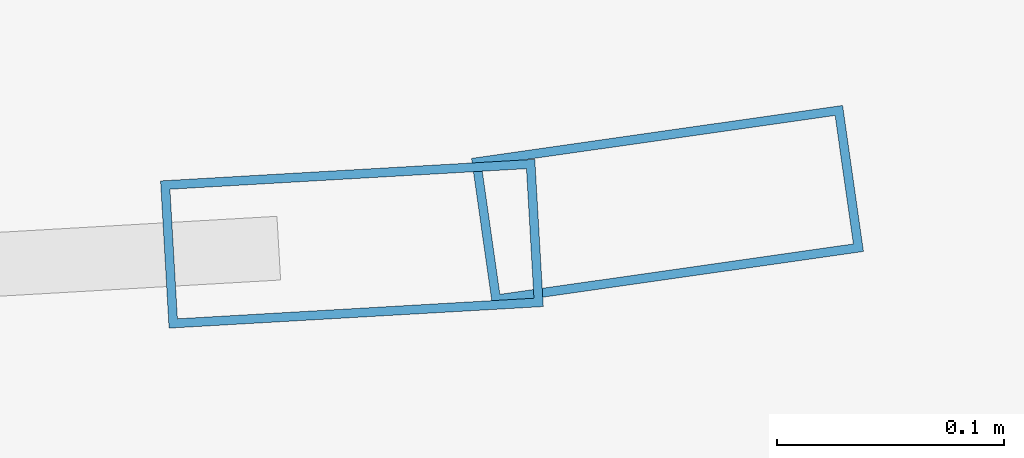
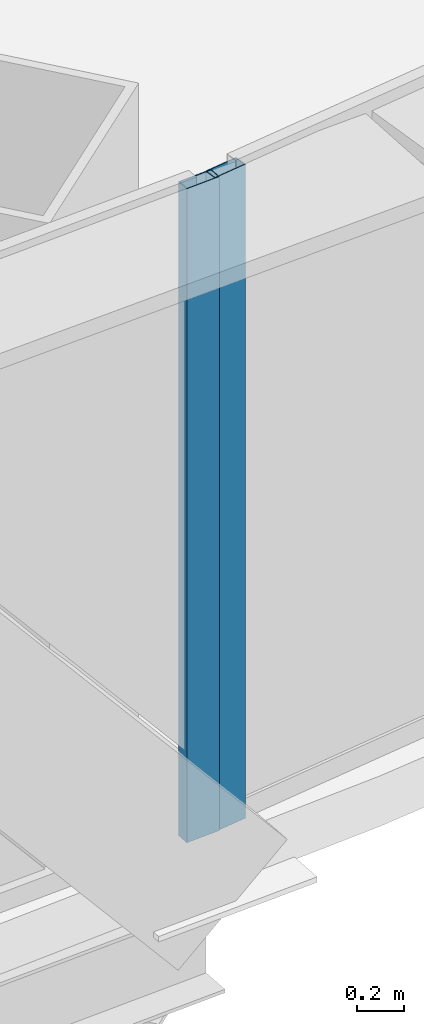
# One storey, part 12 of 41: 2 members, 2 elements without a shape of their own.
"""IFC4 building model written with IfcOpenShell, lengths in metres."""

import ifcopenshell
import ifcopenshell.guid

model = None  # the IFC model being written
_history = None  # IfcOwnerHistory: only IFC2X3 demands one
_inside = {}  # id of a spatial element -> (the spatial element, [elements in it])
_under = {}  # id of a project, library or spatial element -> (it, [spatial elements below it])
_declared = {}  # id of a project -> (the project, [libraries it declares])
_typed = {}  # id of a type object -> (the type object, [elements of that type])
_made_of = {}  # id of a material, layer set ... -> (it, [elements and type objects made of it])


def new_model(schema):
    """Start an empty IFC model of exactly this schema.

    Asked for "IFC4X3", IfcOpenShell would pick the latest addendum, in which some entities
    have other attributes; the version numbers below select the first issue.
    IFC2X3 requires an IfcOwnerHistory on every rooted entity: one is made here for all.
    """
    global model, _history
    if schema == "IFC4X3":
        model = ifcopenshell.file(schema_version=(4, 3, 0, 0))
    else:
        model = ifcopenshell.file(schema=schema)
    _inside.clear()
    _under.clear()
    _declared.clear()
    _typed.clear()
    _made_of.clear()
    _history = None
    if model.schema == "IFC2X3":
        org = make("IfcOrganization", Name="unknown")
        user = make(
            "IfcPersonAndOrganization",
            ThePerson=make("IfcPerson", FamilyName="unknown"),
            TheOrganization=org,
        )
        app = make(
            "IfcApplication",
            ApplicationDeveloper=org,
            Version="unknown",
            ApplicationFullName="unknown",
            ApplicationIdentifier="unknown",
        )
        _history = make(
            "IfcOwnerHistory",
            OwningUser=user,
            OwningApplication=app,
            ChangeAction="ADDED",
            CreationDate=0,
        )
    return model


def make(cls, **values):
    """One entity of the class cls with the attributes given. An attribute that is None is left unset."""
    return model.create_entity(
        cls, **{name: value for name, value in values.items() if value is not None}
    )


def rooted(cls, **values):
    """An entity with a GlobalId (a new one), such as an element, a storey or a relation."""
    return make(cls, GlobalId=ifcopenshell.guid.new(), OwnerHistory=_history, **values)


def si_unit(unit_type, name, prefix=None):
    """IfcSIUnit, for example si_unit("LENGTHUNIT", "METRE", prefix="MILLI")."""
    return make("IfcSIUnit", UnitType=unit_type, Prefix=prefix, Name=name)


def assignment(units):
    """IfcUnitAssignment: the units of a project."""
    return None if units is None else make("IfcUnitAssignment", Units=units)


def point(xyz):
    """IfcCartesianPoint."""
    return None if xyz is None else make("IfcCartesianPoint", Coordinates=xyz)


def direction(xyz):
    """IfcDirection."""
    return None if xyz is None else make("IfcDirection", DirectionRatios=xyz)


def frame(location, z_axis=None, x_axis=None):
    """IfcAxis2Placement3D, a coordinate frame: its origin and axes. An axis left out is left unset."""
    return make(
        "IfcAxis2Placement3D",
        Location=point(location),
        Axis=direction(z_axis),
        RefDirection=direction(x_axis),
    )


def frame_2d(location, x_axis=None):
    """IfcAxis2Placement2D, a coordinate frame in the plane: its origin and x axis."""
    return make(
        "IfcAxis2Placement2D", Location=point(location), RefDirection=direction(x_axis)
    )


def origin():
    """The frame at (0, 0, 0) with its axes left unset."""
    return frame((0.0, 0.0, 0.0))


def origin_2d():
    """The frame at (0, 0) in the plane with its x axis left unset."""
    return frame_2d((0.0, 0.0))


def place(relative_to, where):
    """IfcLocalPlacement: puts the frame where relative to a parent placement (None: the world)."""
    return make(
        "IfcLocalPlacement", PlacementRelTo=relative_to, RelativePlacement=where
    )


def context(
    kind, dimensions, precision=None, world=None, true_north=None, identifier=None
):
    """IfcGeometricRepresentationContext, for example the 3D "Model" context."""
    return make(
        "IfcGeometricRepresentationContext",
        ContextIdentifier=identifier,
        ContextType=kind,
        CoordinateSpaceDimension=dimensions,
        Precision=precision,
        WorldCoordinateSystem=world,
        TrueNorth=true_north,
    )


def subcontext(parent, identifier, kind, view, scale=None):
    """IfcGeometricRepresentationSubContext, for example "Body" below "Model"."""
    return make(
        "IfcGeometricRepresentationSubContext",
        ContextIdentifier=identifier,
        ContextType=kind,
        ParentContext=parent,
        TargetScale=scale,
        TargetView=view,
    )


def project(units=None, contexts=None):
    """IfcProject with its units and contexts."""
    return rooted(
        "IfcProject",
        Name="project",
        RepresentationContexts=contexts,
        UnitsInContext=assignment(units),
    )


def spatial(cls, under=None, at=None, **own):
    """A site, building, storey or space (cls), placed at a placement, below another one or the project."""
    s = rooted(cls, ObjectPlacement=at, **own)
    if under is not None:
        _under.setdefault(under.id(), (under, []))[1].append(s)
    return s


def profile(cls, at=None, kind="AREA", **sizes):
    """A parametric profile (cls). Its sizes go by their IFC names, for example OverallWidth=200.0."""
    return make(cls, ProfileType=kind, Position=at, **sizes)


def hollow_rectangle(**sizes):
    """IfcRectangleHollowProfileDef."""
    return profile("IfcRectangleHollowProfileDef", **sizes)


def extrude(swept, where, along, depth):
    """IfcExtrudedAreaSolid: the profile swept, set in the frame where, extruded along a direction by depth."""
    return make(
        "IfcExtrudedAreaSolid",
        SweptArea=swept,
        Position=where,
        ExtrudedDirection=direction(along),
        Depth=depth,
    )


def shape(context_of_items, identifier, shape_type, items):
    """IfcShapeRepresentation: the items that make up one representation, for example the "Body"."""
    return make(
        "IfcShapeRepresentation",
        ContextOfItems=context_of_items,
        RepresentationIdentifier=identifier,
        RepresentationType=shape_type,
        Items=items,
    )


def source(mapping_origin, context_of_items, identifier, shape_type, items):
    """IfcRepresentationMap: a shape defined once, which mapped items show again and again."""
    return make(
        "IfcRepresentationMap",
        MappingOrigin=mapping_origin,
        MappedRepresentation=shape(context_of_items, identifier, shape_type, items),
    )


def transform(
    local_origin,
    x_axis=None,
    y_axis=None,
    z_axis=None,
    scale=None,
    scale2=None,
    scale3=None,
    uniform=True,
):
    """IfcCartesianTransformationOperator3D, or its non-uniform kind. x_axis, y_axis, z_axis: its Axis1, 2, 3."""
    if uniform:
        return make(
            "IfcCartesianTransformationOperator3D",
            Axis1=direction(x_axis),
            Axis2=direction(y_axis),
            LocalOrigin=point(local_origin),
            Scale=scale,
            Axis3=direction(z_axis),
        )
    return make(
        "IfcCartesianTransformationOperator3DnonUniform",
        Axis1=direction(x_axis),
        Axis2=direction(y_axis),
        LocalOrigin=point(local_origin),
        Scale=scale,
        Axis3=direction(z_axis),
        Scale2=scale2,
        Scale3=scale3,
    )


def mapped(mapping_source, mapping_target):
    """IfcMappedItem: shows the shape of a source again, moved by a transform."""
    return make(
        "IfcMappedItem", MappingSource=mapping_source, MappingTarget=mapping_target
    )


def material(Name=None, Category=None):
    """IfcMaterial."""
    return make("IfcMaterial", Name=Name, Category=Category)


def layer(
    of_material, thickness, ventilated=None, Name=None, Category=None, Priority=None
):
    """IfcMaterialLayer: one layer of a wall or slab, of a material (None: an air gap)."""
    return make(
        "IfcMaterialLayer",
        Material=of_material,
        LayerThickness=thickness,
        IsVentilated=ventilated,
        Name=Name,
        Category=Category,
        Priority=Priority,
    )


def layer_set(layers, Name=None):
    """IfcMaterialLayerSet."""
    return make("IfcMaterialLayerSet", MaterialLayers=layers, LayerSetName=Name)


def material_profile(
    of_material, cross_section, Name=None, Category=None, Priority=None
):
    """IfcMaterialProfile: a cross section and its material."""
    return make(
        "IfcMaterialProfile",
        Name=Name,
        Material=of_material,
        Profile=cross_section,
        Priority=Priority,
        Category=Category,
    )


def profile_set(profiles, Name=None, composite=None):
    """IfcMaterialProfileSet."""
    return make(
        "IfcMaterialProfileSet",
        Name=Name,
        MaterialProfiles=profiles,
        CompositeProfile=composite,
    )


def made_of(thing, what):
    """Note that an element or type object is made of a material, layer set ...; save() writes the relation."""
    if what is not None:
        _made_of.setdefault(what.id(), (what, []))[1].append(thing)
    return thing


def type_object(cls, material=None, **own):
    """A type object (cls), such as IfcWallType, which elements share."""
    return made_of(rooted(cls, **own), material)


def element(
    cls,
    number,
    at=None,
    inside=None,
    cuts=None,
    type_object=None,
    material=None,
    context=None,
    identifier="Body",
    shape_type=None,
    held_by="IfcProductDefinitionShape",
    body=None,
    shapes=None,
    **own,
):
    """One element of the class cls, such as IfcWall. Its Tag is "e" and its number.

    at: its placement. inside: the storey or other place that contains it. cuts: it is an
    opening in that element (IfcRelVoidsElement). A single representation is given by context,
    identifier, shape_type and body (its items); several are given by shapes. held_by: the class
    of the entity that holds the representations. save() writes the other relations.
    """
    e = rooted(cls, Tag="e%d" % number, ObjectPlacement=at, **own)
    if body is not None:
        shapes = [shape(context, identifier, shape_type, body)]
    if shapes is not None:
        e.Representation = make(held_by, Representations=shapes)
    if inside is not None:
        _inside.setdefault(inside.id(), (inside, []))[1].append(e)
    if cuts is not None:
        rooted(
            "IfcRelVoidsElement", RelatingBuildingElement=cuts, RelatedOpeningElement=e
        )
    if type_object is not None:
        _typed.setdefault(type_object.id(), (type_object, []))[1].append(e)
    return made_of(e, material)


def aggregate(whole, parts):
    """IfcRelAggregates: a whole, such as a stair, and the parts it consists of."""
    return rooted("IfcRelAggregates", RelatingObject=whole, RelatedObjects=parts)


def save(model, path):
    """Write the relations noted so far, then the file.

    IfcRelAggregates (storeys below a building ...), IfcRelContainedInSpatialStructure (elements
    in a storey), IfcRelDefinesByType, IfcRelAssociatesMaterial and IfcRelDeclares: one each for
    every whole, place, type object, material and project.
    """
    for whole, parts in _under.values():
        aggregate(whole, parts)
    for where, things in _inside.values():
        rooted(
            "IfcRelContainedInSpatialStructure",
            RelatedElements=things,
            RelatingStructure=where,
        )
    for kind, things in _typed.values():
        rooted("IfcRelDefinesByType", RelatedObjects=things, RelatingType=kind)
    for what, things in _made_of.values():
        rooted("IfcRelAssociatesMaterial", RelatedObjects=things, RelatingMaterial=what)
    for by, libraries in _declared.values():
        rooted("IfcRelDeclares", RelatingContext=by, RelatedDefinitions=libraries)
    model.write(path)


model = new_model("IFC4")

# Units and contexts
model_context = context("Model", 3, precision=1e-05, world=origin(), true_north=direction((0.0, 1.0)))
body_context = subcontext(model_context, "Body", "Model", "MODEL_VIEW")
ifc_project = project(units=[si_unit("LENGTHUNIT", "METRE"), si_unit("AREAUNIT", "SQUARE_METRE"), si_unit("VOLUMEUNIT", "CUBIC_METRE"), si_unit("PLANEANGLEUNIT", "RADIAN"), si_unit("MASSUNIT", "GRAM", prefix="KILO"), si_unit("THERMODYNAMICTEMPERATUREUNIT", "KELVIN"), si_unit("POWERUNIT", "WATT")], contexts=[model_context])

# Site, building, storey
site_placement = place(None, origin())
site = spatial("IfcSite", under=ifc_project, at=site_placement, CompositionType="ELEMENT")
building_placement = place(site_placement, origin())
building = spatial("IfcBuilding", under=site, at=building_placement, Name="Yunzhuo Pagoda Commons", CompositionType="ELEMENT")
storey_placement = place(building_placement, frame((0.0, 0.0, 63.070068359375)))
storey = spatial("IfcBuildingStorey", under=building, at=storey_placement, Name="L16", CompositionType="ELEMENT", Elevation=63.070068359375)

# Curtain wall, member
ifc_material = material(Name="Anodized aluminium 6063-T6", Category="aluminium")
ifc_layer = layer(ifc_material, 0.1650390625)
ifc_layer_set = layer_set([ifc_layer], Name="Anodized aluminium 6063-T6")
curtain_wall_type = type_object("IfcCurtainWallType", Name="CW-LOW Low-Zone Ribbon Curtain Wall", PredefinedType="NOTDEFINED", material=ifc_layer_set)
curtain_wall_1_placement = place(storey_placement, origin())
curtain_wall_1 = element("IfcCurtainWall", 1, at=curtain_wall_1_placement, inside=storey, type_object=curtain_wall_type, Name="L16 curtain wall CW-L16-F1B4", PredefinedType="NOTDEFINED")
ifc_material_profile = material_profile(ifc_material, hollow_rectangle(XDim=0.06494140625, YDim=0.1650390625, WallThickness=0.00390625, at=origin_2d()), Name="Anodized aluminium 6063-T6")
ifc_profile_set = profile_set([ifc_material_profile], Name="Anodized aluminium 6063-T6")
member_type = type_object("IfcMemberType", Name="CW-LOW-M Mullion RHS 165x65x4", PredefinedType="MULLION", material=ifc_profile_set)
shared_shape = source(origin(), body_context, "Body", "SweptSolid", [
    extrude(hollow_rectangle(XDim=0.06494140625, YDim=0.1650390625, WallThickness=0.00390625, at=origin_2d()), origin(), (0.0, 0.0, 1.0), 3.369873046875),
])
member_1_placement = place(storey_placement, frame((66.142333984375, 12.0380859375, 0.0), z_axis=(0.0, 0.0, 1.0), x_axis=(-0.057542190557, 0.998343075454, 0.0)))
member_1 = element("IfcMember", 2, at=member_1_placement, type_object=member_type, Name="CW mullion 2", PredefinedType="MULLION", context=body_context, shape_type="MappedRepresentation", body=[
    mapped(shared_shape, transform((0.0, 0.0, 0.0), scale=1.0)),
])
aggregate(curtain_wall_1, [member_1])

curtain_wall_2_placement = place(storey_placement, origin())
curtain_wall_2 = element("IfcCurtainWall", 3, at=curtain_wall_2_placement, inside=storey, type_object=curtain_wall_type, Name="L16 curtain wall CW-L16-F1B5", PredefinedType="NOTDEFINED")
member_2_placement = place(storey_placement, frame((66.28125, 12.05517578125, 0.0), z_axis=(0.0, 0.0, 1.0), x_axis=(-0.141139872999, 0.989989664719, 0.0)))
member_2 = element("IfcMember", 4, at=member_2_placement, type_object=member_type, Name="CW mullion 1", PredefinedType="MULLION", context=body_context, shape_type="MappedRepresentation", body=[
    mapped(shared_shape, transform((0.0, 0.0, 0.0), scale=1.0)),
])
aggregate(curtain_wall_2, [member_2])

save(model, "model.ifc")
